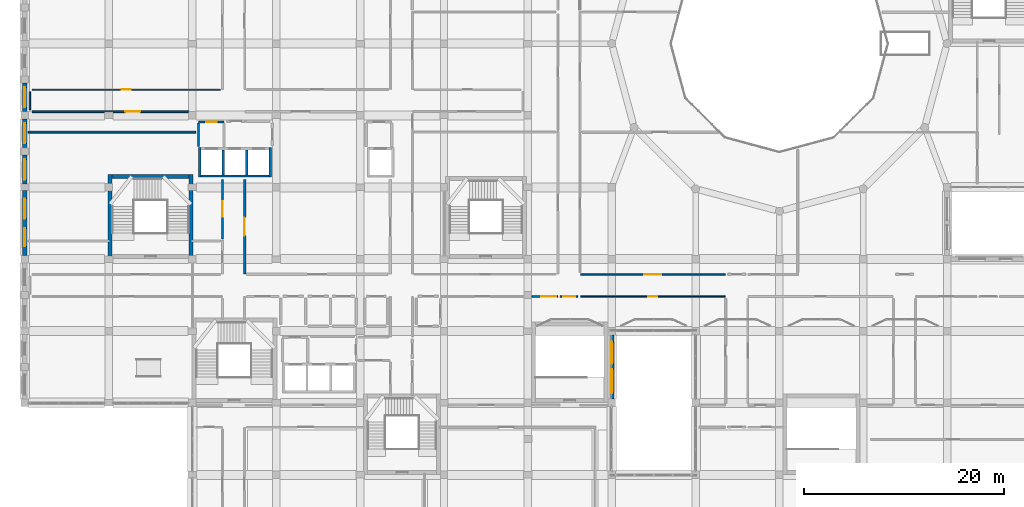
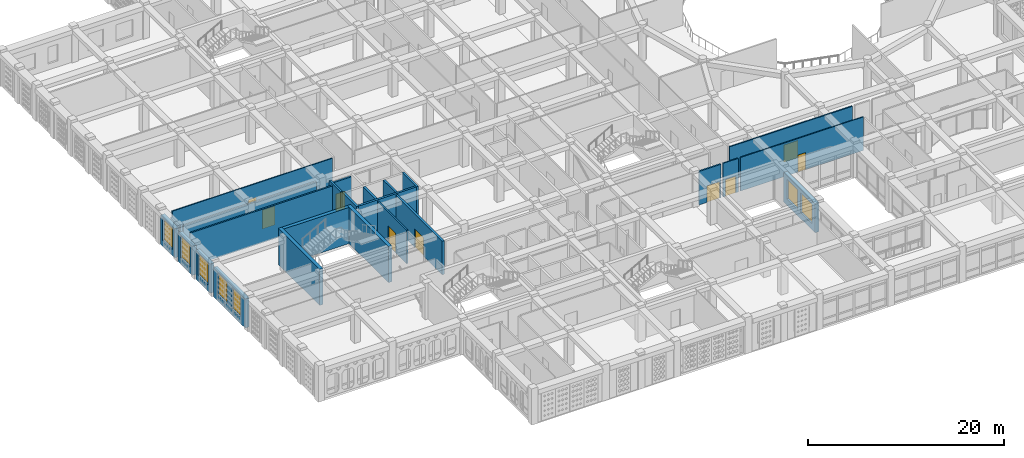
# One storey, part 74 of 121: 25 walls, 9 doors, 7 windows, 16 openings.
"""IFC4 building model written with IfcOpenShell, lengths in metres."""

from ifc_helpers import new_model, si_unit, derived_unit, direction, frame, frame_2d, origin, place, context, subcontext, project, spatial, rectangle, extrude, material, layer, layer_set, type_object, element, fill, save


model = new_model("IFC4")

# Units and contexts
model_context = context("Model", 3, precision=1e-05, world=origin(), true_north=direction((0.0, 1.0)))
body_context = subcontext(model_context, "Body", "Model", "MODEL_VIEW")
ifc_project = project(units=[si_unit("LENGTHUNIT", "METRE"), si_unit("AREAUNIT", "SQUARE_METRE"), si_unit("VOLUMEUNIT", "CUBIC_METRE"), si_unit("PLANEANGLEUNIT", "RADIAN"), si_unit("MASSUNIT", "GRAM", prefix="KILO"), derived_unit("THERMALTRANSMITTANCEUNIT", [(si_unit("POWERUNIT", "WATT"), 1), (si_unit("LENGTHUNIT", "METRE"), -2), (si_unit("THERMODYNAMICTEMPERATUREUNIT", "KELVIN"), -1)])], contexts=[model_context])

# Site, building, storey
site_placement = place(None, origin())
site = spatial("IfcSite", under=ifc_project, at=site_placement, CompositionType="ELEMENT")
building_placement = place(site_placement, origin())
building = spatial("IfcBuilding", under=site, at=building_placement, Name="Veybourne Emporium", CompositionType="ELEMENT")
storey_placement = place(building_placement, frame((0.0, 0.0, 5.39990234375)))
storey = spatial("IfcBuildingStorey", under=building, at=storey_placement, Name="L01", CompositionType="ELEMENT", Elevation=5.39990234375)

# Wall, openings, windows
ifc_material_1 = material(Name="Portland Limestone Ashlar", Category="masonry")
ifc_layer_1 = layer(ifc_material_1, 0.47998046875)
ifc_layer_set_1 = layer_set([ifc_layer_1], Name="Portland Limestone Ashlar")
wall_type_1 = type_object("IfcWallType", Name="ExtWall_EW-01", PredefinedType="SOLIDWALL", material=ifc_layer_set_1)
wall_1_placement = place(storey_placement, frame((0.0, 29.175048828125, 0.0), z_axis=(0.0, 0.0, 1.0), x_axis=(0.0, 1.0, 0.0)))
wall_1 = element("IfcWall", 1, at=wall_1_placement, inside=storey, type_object=wall_type_1, Name="L01 Portland stone external wall 004", PredefinedType="SOLIDWALL", context=body_context, shape_type="SweptSolid", body=[
    extrude(rectangle(XDim=6.5, YDim=0.47998046875, at=frame_2d((3.25, 0.0))), origin(), (0.0, 0.0, 1.0), 3.630126953125),
])
opening_1_placement = place(wall_1_placement, frame((0.919921875, 0.0, 0.75)))
opening_1 = element("IfcOpeningElement", 2, at=opening_1_placement, cuts=wall_1, Name="Opening W-52", PredefinedType="OPENING", context=body_context, shape_type="SweptSolid", body=[
    extrude(rectangle(XDim=1.800048828125, YDim=2.72998046875, at=frame_2d((0.89990234375, 1.364990234375))), frame((0.0, 0.260009765625, 0.0), z_axis=(0.0, -1.0, 0.0), x_axis=(1.0, 0.0, 0.0)), (0.0, 0.0, 1.0), 0.52001953125),
])
opening_2_placement = place(wall_1_placement, frame((3.679931640625, 0.0, 0.75)))
opening_2 = element("IfcOpeningElement", 3, at=opening_2_placement, cuts=wall_1, Name="Opening W-53", PredefinedType="OPENING", context=body_context, shape_type="SweptSolid", body=[
    extrude(rectangle(XDim=2.0, YDim=2.72998046875, at=frame_2d((1.0, 1.364990234375))), frame((0.0, 0.260009765625, 0.0), z_axis=(0.0, -1.0, 0.0), x_axis=(1.0, 0.0, 0.0)), (0.0, 0.0, 1.0), 0.52001953125),
])
ifc_material_2 = material(Name="Low-E Triple Glazing", Category="glass")
window_type_1 = type_object("IfcWindowType", Name="Win_W-52", PartitioningType="DOUBLE_PANEL_VERTICAL", PredefinedType="WINDOW", material=ifc_material_2)
window_1_placement = place(opening_1_placement, origin())
window_1 = element("IfcWindow", 4, at=window_1_placement, inside=storey, type_object=window_type_1, Name="L01 tripartite bronze casement window W-52 (4.1)", OverallHeight=2.72998046875, OverallWidth=1.800048828125, PartitioningType="DOUBLE_PANEL_VERTICAL", PredefinedType="WINDOW", context=body_context, shape_type="SweptSolid", body=[
    extrude(rectangle(XDim=1.800048828125, YDim=2.72998046875, at=frame_2d((0.89990234375, 1.364990234375))), frame((0.0, 0.030029296875, 0.0), z_axis=(0.0, -1.0, 0.0), x_axis=(1.0, 0.0, 0.0)), (0.0, 0.0, 1.0), 0.06005859375),
])
fill(opening_1, window_1)
window_type_2 = type_object("IfcWindowType", Name="Win_W-53", PartitioningType="TRIPLE_PANEL_VERTICAL", PredefinedType="WINDOW", material=ifc_material_2)
window_2_placement = place(opening_2_placement, origin())
window_2 = element("IfcWindow", 5, at=window_2_placement, inside=storey, type_object=window_type_2, Name="L01 tripartite bronze casement window W-53 (4.2)", OverallHeight=2.72998046875, OverallWidth=2.0, PartitioningType="TRIPLE_PANEL_VERTICAL", PredefinedType="WINDOW", context=body_context, shape_type="SweptSolid", body=[
    extrude(rectangle(XDim=2.0, YDim=2.72998046875, at=frame_2d((1.0, 1.364990234375))), frame((0.0, 0.030029296875, 0.0), z_axis=(0.0, -1.0, 0.0), x_axis=(1.0, 0.0, 0.0)), (0.0, 0.0, 1.0), 0.06005859375),
])
fill(opening_2, window_2)

# Wall, opening, window
wall_2_placement = place(storey_placement, frame((0.0, 36.324951171875, 0.0), z_axis=(0.0, 0.0, 1.0), x_axis=(0.0, 1.0, 0.0)))
wall_2 = element("IfcWall", 6, at=wall_2_placement, inside=storey, type_object=wall_type_1, Name="L01 Portland stone external wall 005A", PredefinedType="SOLIDWALL", context=body_context, shape_type="SweptSolid", body=[
    extrude(rectangle(XDim=2.905029296875, YDim=0.47998046875, at=frame_2d((1.45263671875, 0.0))), origin(), (0.0, 0.0, 1.0), 3.630126953125),
])
opening_3_placement = place(wall_2_placement, frame((0.427490234375, 0.0, 0.75)))
opening_3 = element("IfcOpeningElement", 7, at=opening_3_placement, cuts=wall_2, Name="Opening W-54", PredefinedType="OPENING", context=body_context, shape_type="SweptSolid", body=[
    extrude(rectangle(XDim=2.050048828125, YDim=2.72998046875, at=frame_2d((1.02490234375, 1.364990234375))), frame((0.0, 0.260009765625, 0.0), z_axis=(0.0, -1.0, 0.0), x_axis=(1.0, 0.0, 0.0)), (0.0, 0.0, 1.0), 0.52001953125),
])
window_type_3 = type_object("IfcWindowType", Name="Win_W-54", PartitioningType="TRIPLE_PANEL_VERTICAL", PredefinedType="WINDOW", material=ifc_material_2)
window_3_placement = place(opening_3_placement, origin())
window_3 = element("IfcWindow", 8, at=window_3_placement, inside=storey, type_object=window_type_3, Name="L01 tripartite bronze casement window W-54 (5A)", OverallHeight=2.72998046875, OverallWidth=2.050048828125, PartitioningType="TRIPLE_PANEL_VERTICAL", PredefinedType="WINDOW", context=body_context, shape_type="SweptSolid", body=[
    extrude(rectangle(XDim=2.050048828125, YDim=2.72998046875, at=frame_2d((1.02490234375, 1.364990234375))), frame((0.0, 0.030029296875, 0.0), z_axis=(0.0, -1.0, 0.0), x_axis=(1.0, 0.0, 0.0)), (0.0, 0.0, 1.0), 0.06005859375),
])
fill(opening_3, window_3)

wall_3_placement = place(storey_placement, frame((0.0, 39.969970703125, 0.0), z_axis=(0.0, 0.0, 1.0), x_axis=(0.0, 1.0, 0.0)))
wall_3 = element("IfcWall", 9, at=wall_3_placement, inside=storey, type_object=wall_type_1, Name="L01 Portland stone external wall 005B", PredefinedType="SOLIDWALL", context=body_context, shape_type="SweptSolid", body=[
    extrude(rectangle(XDim=2.85498046875, YDim=0.47998046875, at=frame_2d((1.427490234375, 0.0))), origin(), (0.0, 0.0, 1.0), 3.630126953125),
])
opening_4_placement = place(wall_3_placement, frame((0.427490234375, 0.0, 0.75)))
opening_4 = element("IfcOpeningElement", 10, at=opening_4_placement, cuts=wall_3, Name="Opening W-55", PredefinedType="OPENING", context=body_context, shape_type="SweptSolid", body=[
    extrude(rectangle(XDim=2.0, YDim=2.72998046875, at=frame_2d((1.0, 1.364990234375))), frame((0.0, 0.260009765625, 0.0), z_axis=(0.0, -1.0, 0.0), x_axis=(1.0, 0.0, 0.0)), (0.0, 0.0, 1.0), 0.52001953125),
])
window_type_4 = type_object("IfcWindowType", Name="Win_W-55", PartitioningType="TRIPLE_PANEL_VERTICAL", PredefinedType="WINDOW", material=ifc_material_2)
window_4_placement = place(opening_4_placement, origin())
window_4 = element("IfcWindow", 11, at=window_4_placement, inside=storey, type_object=window_type_4, Name="L01 tripartite bronze casement window W-55 (5B)", OverallHeight=2.72998046875, OverallWidth=2.0, PartitioningType="TRIPLE_PANEL_VERTICAL", PredefinedType="WINDOW", context=body_context, shape_type="SweptSolid", body=[
    extrude(rectangle(XDim=2.0, YDim=2.72998046875, at=frame_2d((1.0, 1.364990234375))), frame((0.0, 0.030029296875, 0.0), z_axis=(0.0, -1.0, 0.0), x_axis=(1.0, 0.0, 0.0)), (0.0, 0.0, 1.0), 0.06005859375),
])
fill(opening_4, window_4)

wall_4_placement = place(storey_placement, frame((0.0, 43.574951171875, 0.0), z_axis=(0.0, 0.0, 1.0), x_axis=(0.0, 1.0, 0.0)))
wall_4 = element("IfcWall", 12, at=wall_4_placement, inside=storey, type_object=wall_type_1, Name="L01 Portland stone external wall 006A", PredefinedType="SOLIDWALL", context=body_context, shape_type="SweptSolid", body=[
    extrude(rectangle(XDim=2.85498046875, YDim=0.47998046875, at=frame_2d((1.427490234375, 0.0))), origin(), (0.0, 0.0, 1.0), 3.630126953125),
])
opening_5_placement = place(wall_4_placement, frame((0.427490234375, 0.0, 0.75)))
opening_5 = element("IfcOpeningElement", 13, at=opening_5_placement, cuts=wall_4, Name="Opening W-56", PredefinedType="OPENING", context=body_context, shape_type="SweptSolid", body=[
    extrude(rectangle(XDim=2.0, YDim=2.72998046875, at=frame_2d((1.0, 1.364990234375))), frame((0.0, 0.260009765625, 0.0), z_axis=(0.0, -1.0, 0.0), x_axis=(1.0, 0.0, 0.0)), (0.0, 0.0, 1.0), 0.52001953125),
])
window_type_5 = type_object("IfcWindowType", Name="Win_W-56", PartitioningType="TRIPLE_PANEL_VERTICAL", PredefinedType="WINDOW", material=ifc_material_2)
window_5_placement = place(opening_5_placement, origin())
window_5 = element("IfcWindow", 14, at=window_5_placement, inside=storey, type_object=window_type_5, Name="L01 tripartite bronze casement window W-56 (6A)", OverallHeight=2.72998046875, OverallWidth=2.0, PartitioningType="TRIPLE_PANEL_VERTICAL", PredefinedType="WINDOW", context=body_context, shape_type="SweptSolid", body=[
    extrude(rectangle(XDim=2.0, YDim=2.72998046875, at=frame_2d((1.0, 1.364990234375))), frame((0.0, 0.030029296875, 0.0), z_axis=(0.0, -1.0, 0.0), x_axis=(1.0, 0.0, 0.0)), (0.0, 0.0, 1.0), 0.06005859375),
])
fill(opening_5, window_5)

# Wall, openings, windows
wall_5_placement = place(storey_placement, frame((58.800048828125, 21.22509765625, 0.0), z_axis=(0.0, 0.0, 1.0), x_axis=(0.0, -1.0, 0.0)))
wall_5 = element("IfcWall", 15, at=wall_5_placement, inside=storey, type_object=wall_type_1, Name="L01 Portland stone external wall 030", PredefinedType="SOLIDWALL", context=body_context, shape_type="SweptSolid", body=[
    extrude(rectangle(XDim=6.4501953125, YDim=0.47998046875, at=frame_2d((3.22509765625, 0.0))), origin(), (0.0, 0.0, 1.0), 3.630126953125),
])
opening_6_placement = place(wall_5_placement, frame((0.7060546875, 0.0, 0.75)))
opening_6 = element("IfcOpeningElement", 16, at=opening_6_placement, cuts=wall_5, Name="Opening W-30", PredefinedType="OPENING", context=body_context, shape_type="SweptSolid", body=[
    extrude(rectangle(XDim=2.199951171875, YDim=2.43994140625, at=frame_2d((1.10009765625, 1.219970703125))), frame((0.0, 0.260009765625, 0.0), z_axis=(0.0, -1.0, 0.0), x_axis=(1.0, 0.0, 0.0)), (0.0, 0.0, 1.0), 0.52001953125),
])
opening_7_placement = place(wall_5_placement, frame((3.444091796875, 0.0, 0.75)))
opening_7 = element("IfcOpeningElement", 17, at=opening_7_placement, cuts=wall_5, Name="Opening W-31", PredefinedType="OPENING", context=body_context, shape_type="SweptSolid", body=[
    extrude(rectangle(XDim=2.39990234375, YDim=2.43994140625, at=frame_2d((1.199951171875, 1.219970703125))), frame((0.0, 0.260009765625, 0.0), z_axis=(0.0, -1.0, 0.0), x_axis=(1.0, 0.0, 0.0)), (0.0, 0.0, 1.0), 0.52001953125),
])
window_type_6 = type_object("IfcWindowType", Name="Win_W-30", PartitioningType="TRIPLE_PANEL_VERTICAL", PredefinedType="WINDOW", material=ifc_material_2)
window_6_placement = place(opening_6_placement, origin())
window_6 = element("IfcWindow", 18, at=window_6_placement, inside=storey, type_object=window_type_6, Name="L01 tripartite bronze casement window W-30 (30.1)", OverallHeight=2.43994140625, OverallWidth=2.199951171875, PartitioningType="TRIPLE_PANEL_VERTICAL", PredefinedType="WINDOW", context=body_context, shape_type="SweptSolid", body=[
    extrude(rectangle(XDim=2.199951171875, YDim=2.43994140625, at=frame_2d((1.10009765625, 1.219970703125))), frame((0.0, 0.030029296875, 0.0), z_axis=(0.0, -1.0, 0.0), x_axis=(1.0, 0.0, 0.0)), (0.0, 0.0, 1.0), 0.06005859375),
])
fill(opening_6, window_6)
window_type_7 = type_object("IfcWindowType", Name="Win_W-31", PartitioningType="TRIPLE_PANEL_VERTICAL", PredefinedType="WINDOW", material=ifc_material_2)
window_7_placement = place(opening_7_placement, origin())
window_7 = element("IfcWindow", 19, at=window_7_placement, inside=storey, type_object=window_type_7, Name="L01 tripartite bronze casement window W-31 (30.2)", OverallHeight=2.43994140625, OverallWidth=2.39990234375, PartitioningType="TRIPLE_PANEL_VERTICAL", PredefinedType="WINDOW", context=body_context, shape_type="SweptSolid", body=[
    extrude(rectangle(XDim=2.39990234375, YDim=2.43994140625, at=frame_2d((1.199951171875, 1.219970703125))), frame((0.0, 0.030029296875, 0.0), z_axis=(0.0, -1.0, 0.0), x_axis=(1.0, 0.0, 0.0)), (0.0, 0.0, 1.0), 0.06005859375),
])
fill(opening_7, window_7)

# Walls
ifc_material_3 = material(Name="Concrete C40/50", Category="concrete")
ifc_layer_2 = layer(ifc_material_3, 0.39990234375)
ifc_layer_set_2 = layer_set([ifc_layer_2], Name="Concrete C40/50")
wall_type_2 = type_object("IfcWallType", Name="IntWall_CW-01", PredefinedType="SHEAR", material=ifc_layer_set_2)
wall_6_placement = place(storey_placement, frame((8.75, 37.10009765625, 0.0), z_axis=(0.0, 0.0, 1.0), x_axis=(1.0, 0.0, 0.0)))
element("IfcWall", 20, at=wall_6_placement, inside=storey, type_object=wall_type_2, Name="Core stair ST-02 north shear wall (L01)", PredefinedType="SHEAR", context=body_context, shape_type="SweptSolid", body=[
    extrude(rectangle(XDim=7.699951171875, YDim=0.39990234375, at=frame_2d((3.85009765625, 0.0))), origin(), (0.0, 0.0, 1.0), 4.5),
])
for number, where, z_axis, x_axis, name in (
    (21, (8.550048828125, 37.300048828125, 0.0), (0.0, 0.0, 1.0), (0.0, -1.0, 0.0), "Core stair ST-02 west shear wall (L01)"),
    (22, (16.64990234375, 28.85009765625, 0.0), (0.0, 0.0, 1.0), (0.0, 1.0, 0.0), "Core stair ST-02 east shear wall (L01)"),
):
    element("IfcWall", number, at=place(storey_placement, frame(where, z_axis=z_axis, x_axis=x_axis)), inside=storey, type_object=wall_type_2, Name=name, PredefinedType="SHEAR", context=body_context, shape_type="SweptSolid", body=[
        extrude(rectangle(XDim=8.449951171875, YDim=0.39990234375, at=frame_2d((4.22509765625, 0.0))), origin(), (0.0, 0.0, 1.0), 4.5),
    ])
ifc_layer_3 = layer(ifc_material_3, 0.239990234375)
ifc_layer_set_3 = layer_set([ifc_layer_3], Name="Concrete C40/50")
wall_type_3 = type_object("IfcWallType", Name="IntWall_CW-04", PredefinedType="SHEAR", material=ifc_layer_set_3)
wall_7_placement = place(storey_placement, frame((17.659912109375, 37.1298828125, 0.0), z_axis=(0.0, 0.0, 1.0), x_axis=(1.0, 0.0, 0.0)))
element("IfcWall", 23, at=wall_7_placement, inside=storey, type_object=wall_type_3, Name="Lift core C2 south shaft wall (L01)", PredefinedType="SHEAR", context=body_context, shape_type="SweptSolid", body=[
    extrude(rectangle(XDim=6.820068359375, YDim=0.239990234375, at=frame_2d((3.41015625, 0.0))), origin(), (0.0, 0.0, 1.0), 4.18017578125),
])
for number, where, z_axis, x_axis, name in (
    (24, (17.5400390625, 39.989990234375, 0.0), (0.0, 0.0, 1.0), (0.0, -1.0, 0.0), "Lift core C2 west shaft wall (L01)"),
    (25, (24.60009765625, 37.010009765625, 0.0), (0.0, 0.0, 1.0), (0.0, 1.0, 0.0), "Lift core C2 east shaft wall (L01)"),
):
    element("IfcWall", number, at=place(storey_placement, frame(where, z_axis=z_axis, x_axis=x_axis)), inside=storey, type_object=wall_type_3, Name=name, PredefinedType="SHEAR", context=body_context, shape_type="SweptSolid", body=[
        extrude(rectangle(XDim=2.97998046875, YDim=0.239990234375, at=frame_2d((1.489990234375, 0.0))), origin(), (0.0, 0.0, 1.0), 4.18017578125),
    ])
for number, where, z_axis, x_axis, name in (
    (26, (19.8798828125, 37.25, 0.0), (0.0, 0.0, 1.0), (0.0, 1.0, 0.0), "Lift core C2 divider wall 1 (L01)"),
    (27, (22.239990234375, 37.25, 0.0), (0.0, 0.0, 1.0), (0.0, 1.0, 0.0), "Lift core C2 divider wall 2 (L01)"),
):
    element("IfcWall", number, at=place(storey_placement, frame(where, z_axis=z_axis, x_axis=x_axis)), inside=storey, type_object=wall_type_3, Name=name, PredefinedType="SHEAR", context=body_context, shape_type="SweptSolid", body=[
        extrude(rectangle(XDim=2.5, YDim=0.239990234375, at=frame_2d((1.25, 0.0))), origin(), (0.0, 0.0, 1.0), 4.18017578125),
    ])

# Wall, opening, door
ifc_material_4 = material(Name="Concrete C32/40", Category="concrete")
ifc_layer_4 = layer(ifc_material_4, 0.25)
ifc_layer_set_4 = layer_set([ifc_layer_4], Name="Concrete C32/40")
wall_type_4 = type_object("IfcWallType", Name="IntWall_FW-01", PredefinedType="SOLIDWALL", material=ifc_layer_set_4)
wall_8_placement = place(storey_placement, frame((22.030029296875, 27.330078125, 0.0), z_axis=(0.0, 0.0, 1.0), x_axis=(0.0, 1.0, 0.0)))
wall_8 = element("IfcWall", 28, at=wall_8_placement, inside=storey, type_object=wall_type_4, Name="L01 interior partition FW-01 #070", PredefinedType="SOLIDWALL", context=body_context, shape_type="SweptSolid", body=[
    extrude(rectangle(XDim=9.469970703125, YDim=0.25, at=frame_2d((4.73486328125, 0.0))), origin(), (0.0, 0.0, 1.0), 4.18017578125),
])
opening_8_placement = place(wall_8_placement, frame((3.8349609375, 0.0, 0.0)))
opening_8 = element("IfcOpeningElement", 29, at=opening_8_placement, cuts=wall_8, Name="Opening FD-03", PredefinedType="OPENING", context=body_context, shape_type="SweptSolid", body=[
    extrude(rectangle(XDim=1.800048828125, YDim=2.300048828125, at=frame_2d((0.89990234375, 1.14990234375))), frame((0.0, 0.14501953125, 0.0), z_axis=(0.0, -1.0, 0.0), x_axis=(1.0, 0.0, 0.0)), (0.0, 0.0, 1.0), 0.2900390625),
])
ifc_material_5 = material(Name="Patinated Architectural Bronze", Category="bronze")
door_type_1 = type_object("IfcDoorType", Name="FireDoor_FD-03", OperationType="DOUBLE_DOOR_SINGLE_SWING", PredefinedType="DOOR", material=ifc_material_5)
door_1_placement = place(opening_8_placement, origin())
door_1 = element("IfcDoor", 30, at=door_1_placement, inside=storey, type_object=door_type_1, Name="L01 interior door FD-03 (PART-L01-070)", OperationType="DOUBLE_DOOR_SINGLE_SWING", OverallHeight=2.300048828125, OverallWidth=1.800048828125, PredefinedType="DOOR", context=body_context, shape_type="SweptSolid", body=[
    extrude(rectangle(XDim=1.800048828125, YDim=2.300048828125, at=frame_2d((0.89990234375, 1.14990234375))), frame((0.0, 0.02490234375, 0.0), z_axis=(0.0, -1.0, 0.0), x_axis=(1.0, 0.0, 0.0)), (0.0, 0.0, 1.0), 0.050048828125),
])
fill(opening_8, door_1)

ifc_layer_5 = layer(ifc_material_4, 0.219970703125)
ifc_layer_set_5 = layer_set([ifc_layer_5], Name="Concrete C32/40")
wall_type_5 = type_object("IfcWallType", Name="IntWall_FW-02", PredefinedType="SOLIDWALL", material=ifc_layer_set_5)
wall_9_placement = place(storey_placement, frame((17.419921875, 42.550048828125, 0.0), z_axis=(0.0, 0.0, 1.0), x_axis=(1.0, 0.0, 0.0)))
wall_9 = element("IfcWall", 31, at=wall_9_placement, inside=storey, type_object=wall_type_5, Name="Firefighting lobby C2 fire wall N (L01)", PredefinedType="SOLIDWALL", context=body_context, shape_type="SweptSolid", body=[
    extrude(rectangle(XDim=2.5400390625, YDim=0.219970703125, at=frame_2d((1.27001953125, 0.0))), origin(), (0.0, 0.0, 1.0), 3.72998046875),
])
opening_9_placement = place(wall_9_placement, frame((0.7451171875, 0.0, 0.0)))
opening_9 = element("IfcOpeningElement", 32, at=opening_9_placement, cuts=wall_9, Name="Opening FD-02", PredefinedType="OPENING", context=body_context, shape_type="SweptSolid", body=[
    extrude(rectangle(XDim=1.050048828125, YDim=2.14990234375, at=frame_2d((0.52490234375, 1.074951171875))), frame((0.0, 0.1298828125, 0.0), z_axis=(0.0, -1.0, 0.0), x_axis=(1.0, 0.0, 0.0)), (0.0, 0.0, 1.0), 0.260009765625),
])
door_type_2 = type_object("IfcDoorType", Name="FireDoor_FD-02", OperationType="NOTDEFINED", PredefinedType="DOOR", material=ifc_material_5)
door_2_placement = place(opening_9_placement, origin())
door_2 = element("IfcDoor", 33, at=door_2_placement, inside=storey, type_object=door_type_2, Name="Firefighting lobby C2 FD60S door N (L01)", OperationType="SINGLE_SWING_LEFT", OverallHeight=2.14990234375, OverallWidth=1.050048828125, PredefinedType="DOOR", context=body_context, shape_type="SweptSolid", body=[
    extrude(rectangle(XDim=1.050048828125, YDim=2.14990234375, at=frame_2d((0.52490234375, 1.074951171875))), frame((0.0, 0.02490234375, 0.0), z_axis=(0.0, -1.0, 0.0), x_axis=(1.0, 0.0, 0.0)), (0.0, 0.0, 1.0), 0.050048828125),
])
fill(opening_9, door_2)

# Wall
wall_10_placement = place(storey_placement, frame((17.419921875, 40.110107421875, 0.0), z_axis=(0.0, 0.0, 1.0), x_axis=(0.0, 1.0, 0.0)))
element("IfcWall", 34, at=wall_10_placement, inside=storey, type_object=wall_type_5, Name="Firefighting lobby C2 fire wall W (L01)", PredefinedType="SOLIDWALL", context=body_context, shape_type="SweptSolid", body=[
    extrude(rectangle(XDim=2.31982421875, YDim=0.219970703125, at=frame_2d((1.159912109375, 0.0))), origin(), (0.0, 0.0, 1.0), 4.18017578125),
])

# Wall, opening, door
ifc_material_6 = material(Name="Gypsum Acoustic Board", Category="gypsum")
ifc_layer_6 = layer(ifc_material_6, 0.179931640625)
ifc_layer_set_6 = layer_set([ifc_layer_6], Name="Gypsum Acoustic Board")
wall_type_6 = type_object("IfcWallType", Name="IntWall_IW-01", PredefinedType="PARTITIONING", material=ifc_layer_set_6)
wall_11_placement = place(storey_placement, frame((0.72998046875, 43.570068359375, 0.0), z_axis=(0.0, 0.0, 1.0), x_axis=(1.0, 0.0, 0.0)))
wall_11 = element("IfcWall", 35, at=wall_11_placement, inside=storey, type_object=wall_type_6, Name="L01 interior partition IW-01 #004", PredefinedType="PARTITIONING", context=body_context, shape_type="SweptSolid", body=[
    extrude(rectangle(XDim=15.675048828125, YDim=0.179931640625, at=frame_2d((7.83740234375, 0.0))), origin(), (0.0, 0.0, 1.0), 3.72998046875),
])
opening_10_placement = place(wall_11_placement, frame((9.34228515625, 0.0, 0.0)))
opening_10 = element("IfcOpeningElement", 36, at=opening_10_placement, cuts=wall_11, Name="Opening D-29", PredefinedType="OPENING", context=body_context, shape_type="SweptSolid", body=[
    extrude(rectangle(XDim=1.52001953125, YDim=2.3701171875, at=frame_2d((0.760009765625, 1.18505859375))), frame((0.0, 0.10986328125, 0.0), z_axis=(0.0, -1.0, 0.0), x_axis=(1.0, 0.0, 0.0)), (0.0, 0.0, 1.0), 0.219970703125),
])
ifc_material_7 = material(Name="European Oak Veneer and Bronze", Category="wood")
door_type_3 = type_object("IfcDoorType", Name="IntDoor_D-29", OperationType="NOTDEFINED", PredefinedType="DOOR", material=ifc_material_7)
door_3_placement = place(opening_10_placement, origin())
door_3 = element("IfcDoor", 37, at=door_3_placement, inside=storey, type_object=door_type_3, Name="L01 interior door D-29 (PART-L01-004)", OperationType="SINGLE_SWING_RIGHT", OverallHeight=2.3701171875, OverallWidth=1.52001953125, PredefinedType="DOOR", context=body_context, shape_type="SweptSolid", body=[
    extrude(rectangle(XDim=1.52001953125, YDim=2.3701171875, at=frame_2d((0.760009765625, 1.18505859375))), frame((0.0, 0.02490234375, 0.0), z_axis=(0.0, -1.0, 0.0), x_axis=(1.0, 0.0, 0.0)), (0.0, 0.0, 1.0), 0.050048828125),
])
fill(opening_10, door_3)

wall_12_placement = place(storey_placement, frame((50.81005859375, 25.070068359375, 0.0), z_axis=(0.0, 0.0, 1.0), x_axis=(1.0, 0.0, 0.0)))
wall_12 = element("IfcWall", 38, at=wall_12_placement, inside=storey, type_object=wall_type_6, Name="L01 interior partition IW-01 #052", PredefinedType="PARTITIONING", context=body_context, shape_type="SweptSolid", body=[
    extrude(rectangle(XDim=2.56005859375, YDim=0.179931640625, at=frame_2d((1.280029296875, 0.0))), origin(), (0.0, 0.0, 1.0), 4.18017578125),
])
opening_11_placement = place(wall_12_placement, frame((0.915283203125, 0.0, 0.0)))
opening_11 = element("IfcOpeningElement", 39, at=opening_11_placement, cuts=wall_12, Name="Opening D-05", PredefinedType="OPENING", context=body_context, shape_type="SweptSolid", body=[
    extrude(rectangle(XDim=1.52001953125, YDim=2.050048828125, at=frame_2d((0.760009765625, 1.02490234375))), frame((0.0, 0.10986328125, 0.0), z_axis=(0.0, -1.0, 0.0), x_axis=(1.0, 0.0, 0.0)), (0.0, 0.0, 1.0), 0.219970703125),
])
door_type_4 = type_object("IfcDoorType", Name="IntDoor_D-05", OperationType="NOTDEFINED", PredefinedType="DOOR", material=ifc_material_7)
door_4_placement = place(opening_11_placement, origin())
door_4 = element("IfcDoor", 40, at=door_4_placement, inside=storey, type_object=door_type_4, Name="L01 interior door D-05 (PART-L01-052)", OperationType="SINGLE_SWING_RIGHT", OverallHeight=2.050048828125, OverallWidth=1.52001953125, PredefinedType="DOOR", context=body_context, shape_type="SweptSolid", body=[
    extrude(rectangle(XDim=1.52001953125, YDim=2.050048828125, at=frame_2d((0.760009765625, 1.02490234375))), frame((0.0, 0.02490234375, 0.0), z_axis=(0.0, -1.0, 0.0), x_axis=(1.0, 0.0, 0.0)), (0.0, 0.0, 1.0), 0.050048828125),
])
fill(opening_11, door_4)

wall_13_placement = place(storey_placement, frame((19.820068359375, 30.840087890625, 0.0), z_axis=(0.0, 0.0, 1.0), x_axis=(0.0, 1.0, 0.0)))
wall_13 = element("IfcWall", 41, at=wall_13_placement, inside=storey, type_object=wall_type_6, Name="L01 interior partition IW-01 #082", PredefinedType="PARTITIONING", context=body_context, shape_type="SweptSolid", body=[
    extrude(rectangle(XDim=5.9599609375, YDim=0.179931640625, at=frame_2d((2.97998046875, 0.0))), origin(), (0.0, 0.0, 1.0), 4.18017578125),
])
opening_12_placement = place(wall_13_placement, frame((2.219970703125, 0.0, 0.0)))
opening_12 = element("IfcOpeningElement", 42, at=opening_12_placement, cuts=wall_13, Name="Opening D-35", PredefinedType="OPENING", context=body_context, shape_type="SweptSolid", body=[
    extrude(rectangle(XDim=1.52001953125, YDim=2.449951171875, at=frame_2d((0.760009765625, 1.22509765625))), frame((0.0, 0.10986328125, 0.0), z_axis=(0.0, -1.0, 0.0), x_axis=(1.0, 0.0, 0.0)), (0.0, 0.0, 1.0), 0.219970703125),
])
door_type_5 = type_object("IfcDoorType", Name="IntDoor_D-35", OperationType="NOTDEFINED", PredefinedType="DOOR", material=ifc_material_7)
door_5_placement = place(opening_12_placement, origin())
door_5 = element("IfcDoor", 43, at=door_5_placement, inside=storey, type_object=door_type_5, Name="L01 interior door D-35 (PART-L01-082)", OperationType="SINGLE_SWING_LEFT", OverallHeight=2.449951171875, OverallWidth=1.52001953125, PredefinedType="DOOR", context=body_context, shape_type="SweptSolid", body=[
    extrude(rectangle(XDim=1.52001953125, YDim=2.449951171875, at=frame_2d((0.760009765625, 1.22509765625))), frame((0.0, 0.02490234375, 0.0), z_axis=(0.0, -1.0, 0.0), x_axis=(1.0, 0.0, 0.0)), (0.0, 0.0, 1.0), 0.050048828125),
])
fill(opening_12, door_5)

# Wall
wall_14_placement = place(storey_placement, frame((0.3701171875, 41.530029296875, 0.0), z_axis=(0.0, 0.0, 1.0), x_axis=(1.0, 0.0, 0.0)))
element("IfcWall", 44, at=wall_14_placement, inside=storey, type_object=wall_type_6, Name="L01 interior partition IW-01 #172", PredefinedType="PARTITIONING", context=body_context, shape_type="SweptSolid", body=[
    extrude(rectangle(XDim=16.759765625, YDim=0.179931640625, at=frame_2d((8.3798828125, 0.0))), origin(), (0.0, 0.0, 1.0), 4.18017578125),
])

# Wall, opening, door
ifc_layer_7 = layer(ifc_material_6, 0.14990234375)
ifc_layer_set_7 = layer_set([ifc_layer_7], Name="Gypsum Acoustic Board")
wall_type_7 = type_object("IfcWallType", Name="IntWall_IW-02", PredefinedType="PARTITIONING", material=ifc_layer_set_7)
wall_15_placement = place(storey_placement, frame((55.679931640625, 27.280029296875, 0.0), z_axis=(0.0, 0.0, 1.0), x_axis=(1.0, 0.0, 0.0)))
wall_15 = element("IfcWall", 45, at=wall_15_placement, inside=storey, type_object=wall_type_7, Name="L01 interior partition IW-02 #023", PredefinedType="PARTITIONING", context=body_context, shape_type="SweptSolid", body=[
    extrude(rectangle(XDim=14.489990234375, YDim=0.14990234375, at=frame_2d((7.2451171875, 0.0))), origin(), (0.0, 0.0, 1.0), 4.18017578125),
])
opening_13_placement = place(wall_15_placement, frame((6.405029296875, 0.0, 0.0)))
opening_13 = element("IfcOpeningElement", 46, at=opening_13_placement, cuts=wall_15, Name="Opening D-12", PredefinedType="OPENING", context=body_context, shape_type="SweptSolid", body=[
    extrude(rectangle(XDim=1.679931640625, YDim=2.1298828125, at=frame_2d((0.83984375, 1.06494140625))), frame((0.0, 0.094970703125, 0.0), z_axis=(0.0, -1.0, 0.0), x_axis=(1.0, 0.0, 0.0)), (0.0, 0.0, 1.0), 0.18994140625),
])
door_type_6 = type_object("IfcDoorType", Name="IntDoor_D-12", OperationType="DOUBLE_DOOR_SINGLE_SWING", PredefinedType="DOOR", material=ifc_material_7)
door_6_placement = place(opening_13_placement, origin())
door_6 = element("IfcDoor", 47, at=door_6_placement, inside=storey, type_object=door_type_6, Name="L01 interior door D-12 (PART-L01-023)", OperationType="DOUBLE_DOOR_SINGLE_SWING", OverallHeight=2.1298828125, OverallWidth=1.679931640625, PredefinedType="DOOR", context=body_context, shape_type="SweptSolid", body=[
    extrude(rectangle(XDim=1.679931640625, YDim=2.1298828125, at=frame_2d((0.83984375, 1.06494140625))), frame((0.0, 0.02490234375, 0.0), z_axis=(0.0, -1.0, 0.0), x_axis=(1.0, 0.0, 0.0)), (0.0, 0.0, 1.0), 0.050048828125),
])
fill(opening_13, door_6)

# Wall
wall_16_placement = place(storey_placement, frame((0.52001953125, 43.780029296875, 0.0), z_axis=(0.0, 0.0, 1.0), x_axis=(0.0, 1.0, 0.0)))
element("IfcWall", 48, at=wall_16_placement, inside=storey, type_object=wall_type_7, Name="L01 interior partition IW-02 #149", PredefinedType="PARTITIONING", context=body_context, shape_type="SweptSolid", body=[
    extrude(rectangle(XDim=1.7900390625, YDim=0.14990234375, at=frame_2d((0.89501953125, 0.0))), origin(), (0.0, 0.0, 1.0), 3.630126953125),
])

# Wall, opening, door
wall_17_placement = place(storey_placement, frame((53.6298828125, 25.070068359375, 0.0), z_axis=(0.0, 0.0, 1.0), x_axis=(1.0, 0.0, 0.0)))
wall_17 = element("IfcWall", 49, at=wall_17_placement, inside=storey, type_object=wall_type_7, Name="L01 interior partition IW-02 #158", PredefinedType="PARTITIONING", context=body_context, shape_type="SweptSolid", body=[
    extrude(rectangle(XDim=1.7900390625, YDim=0.14990234375, at=frame_2d((0.89501953125, 0.0))), origin(), (0.0, 0.0, 1.0), 4.18017578125),
])
opening_14_placement = place(wall_17_placement, frame((0.294921875, 0.0, 0.0)))
opening_14 = element("IfcOpeningElement", 50, at=opening_14_placement, cuts=wall_17, Name="Opening D-03", PredefinedType="OPENING", context=body_context, shape_type="SweptSolid", body=[
    extrude(rectangle(XDim=1.199951171875, YDim=2.050048828125, at=frame_2d((0.60009765625, 1.02490234375))), frame((0.0, 0.094970703125, 0.0), z_axis=(0.0, -1.0, 0.0), x_axis=(1.0, 0.0, 0.0)), (0.0, 0.0, 1.0), 0.18994140625),
])
door_type_7 = type_object("IfcDoorType", Name="IntDoor_D-03", OperationType="NOTDEFINED", PredefinedType="DOOR", material=ifc_material_7)
door_7_placement = place(opening_14_placement, origin())
door_7 = element("IfcDoor", 51, at=door_7_placement, inside=storey, type_object=door_type_7, Name="L01 interior door D-03 (PART-L01-158)", OperationType="SINGLE_SWING_LEFT", OverallHeight=2.050048828125, OverallWidth=1.199951171875, PredefinedType="DOOR", context=body_context, shape_type="SweptSolid", body=[
    extrude(rectangle(XDim=1.199951171875, YDim=2.050048828125, at=frame_2d((0.60009765625, 1.02490234375))), frame((0.0, 0.02490234375, 0.0), z_axis=(0.0, -1.0, 0.0), x_axis=(1.0, 0.0, 0.0)), (0.0, 0.0, 1.0), 0.050048828125),
])
fill(opening_14, door_7)

ifc_layer_8 = layer(ifc_material_6, 0.1201171875)
ifc_layer_set_8 = layer_set([ifc_layer_8], Name="Gypsum Acoustic Board")
wall_type_8 = type_object("IfcWallType", Name="IntWall_IW-03", PredefinedType="PARTITIONING", material=ifc_layer_set_8)
wall_18_placement = place(storey_placement, frame((0.72998046875, 45.780029296875, 0.0), z_axis=(0.0, 0.0, 1.0), x_axis=(1.0, 0.0, 0.0)))
wall_18 = element("IfcWall", 52, at=wall_18_placement, inside=storey, type_object=wall_type_8, Name="L01 interior partition IW-03 #006", PredefinedType="PARTITIONING", context=body_context, shape_type="SweptSolid", body=[
    extrude(rectangle(XDim=18.880126953125, YDim=0.1201171875, at=frame_2d((9.43994140625, 0.0))), origin(), (0.0, 0.0, 1.0), 4.18017578125),
])
opening_15_placement = place(wall_18_placement, frame((9.0, 0.0, 0.0)))
opening_15 = element("IfcOpeningElement", 53, at=opening_15_placement, cuts=wall_18, Name="Opening D-31", PredefinedType="OPENING", context=body_context, shape_type="SweptSolid", body=[
    extrude(rectangle(XDim=0.8798828125, YDim=2.449951171875, at=frame_2d((0.43994140625, 1.22509765625))), frame((0.0, 0.080078125, 0.0), z_axis=(0.0, -1.0, 0.0), x_axis=(1.0, 0.0, 0.0)), (0.0, 0.0, 1.0), 0.16015625),
])
door_type_8 = type_object("IfcDoorType", Name="IntDoor_D-31", OperationType="NOTDEFINED", PredefinedType="DOOR", material=ifc_material_7)
door_8_placement = place(opening_15_placement, origin())
door_8 = element("IfcDoor", 54, at=door_8_placement, inside=storey, type_object=door_type_8, Name="L01 interior door D-31 (PART-L01-006)", OperationType="SINGLE_SWING_LEFT", OverallHeight=2.449951171875, OverallWidth=0.8798828125, PredefinedType="DOOR", context=body_context, shape_type="SweptSolid", body=[
    extrude(rectangle(XDim=0.8798828125, YDim=2.449951171875, at=frame_2d((0.43994140625, 1.22509765625))), frame((0.0, 0.02490234375, 0.0), z_axis=(0.0, -1.0, 0.0), x_axis=(1.0, 0.0, 0.0)), (0.0, 0.0, 1.0), 0.050048828125),
])
fill(opening_15, door_8)

wall_19_placement = place(storey_placement, frame((55.679931640625, 25.070068359375, 0.0), z_axis=(0.0, 0.0, 1.0), x_axis=(1.0, 0.0, 0.0)))
wall_19 = element("IfcWall", 55, at=wall_19_placement, inside=storey, type_object=wall_type_8, Name="L01 interior partition IW-03 #018", PredefinedType="PARTITIONING", context=body_context, shape_type="SweptSolid", body=[
    extrude(rectangle(XDim=14.489990234375, YDim=0.1201171875, at=frame_2d((7.2451171875, 0.0))), origin(), (0.0, 0.0, 1.0), 4.18017578125),
])
opening_16_placement = place(wall_19_placement, frame((6.804931640625, 0.0, 0.0)))
opening_16 = element("IfcOpeningElement", 56, at=opening_16_placement, cuts=wall_19, Name="Opening D-07", PredefinedType="OPENING", context=body_context, shape_type="SweptSolid", body=[
    extrude(rectangle(XDim=0.8798828125, YDim=2.1298828125, at=frame_2d((0.43994140625, 1.06494140625))), frame((0.0, 0.080078125, 0.0), z_axis=(0.0, -1.0, 0.0), x_axis=(1.0, 0.0, 0.0)), (0.0, 0.0, 1.0), 0.16015625),
])
door_type_9 = type_object("IfcDoorType", Name="IntDoor_D-07", OperationType="NOTDEFINED", PredefinedType="DOOR", material=ifc_material_7)
door_9_placement = place(opening_16_placement, origin())
door_9 = element("IfcDoor", 57, at=door_9_placement, inside=storey, type_object=door_type_9, Name="L01 interior door D-07 (PART-L01-018)", OperationType="SINGLE_SWING_LEFT", OverallHeight=2.1298828125, OverallWidth=0.8798828125, PredefinedType="DOOR", context=body_context, shape_type="SweptSolid", body=[
    extrude(rectangle(XDim=0.8798828125, YDim=2.1298828125, at=frame_2d((0.43994140625, 1.06494140625))), frame((0.0, 0.02490234375, 0.0), z_axis=(0.0, -1.0, 0.0), x_axis=(1.0, 0.0, 0.0)), (0.0, 0.0, 1.0), 0.050048828125),
])
fill(opening_16, door_9)

save(model, "model.ifc")
